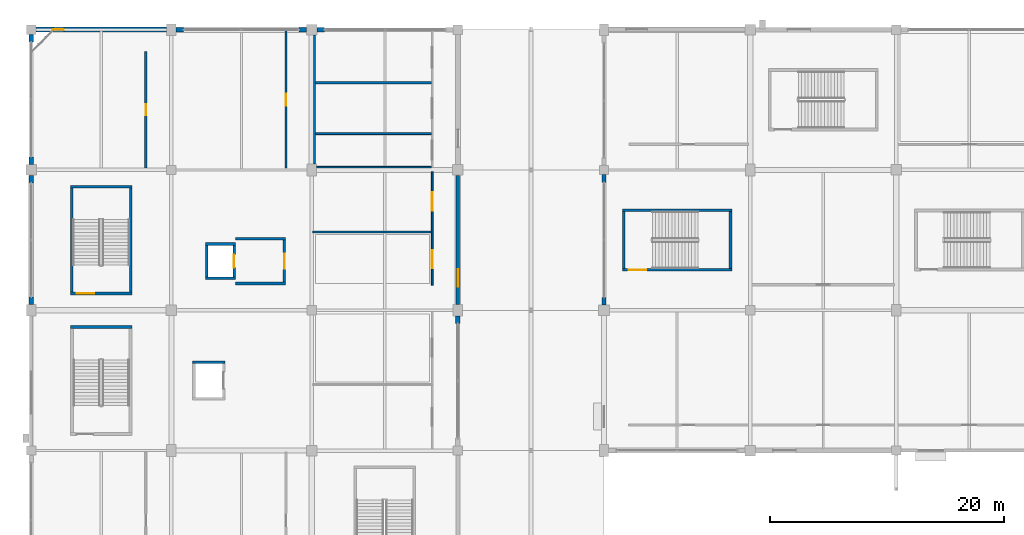
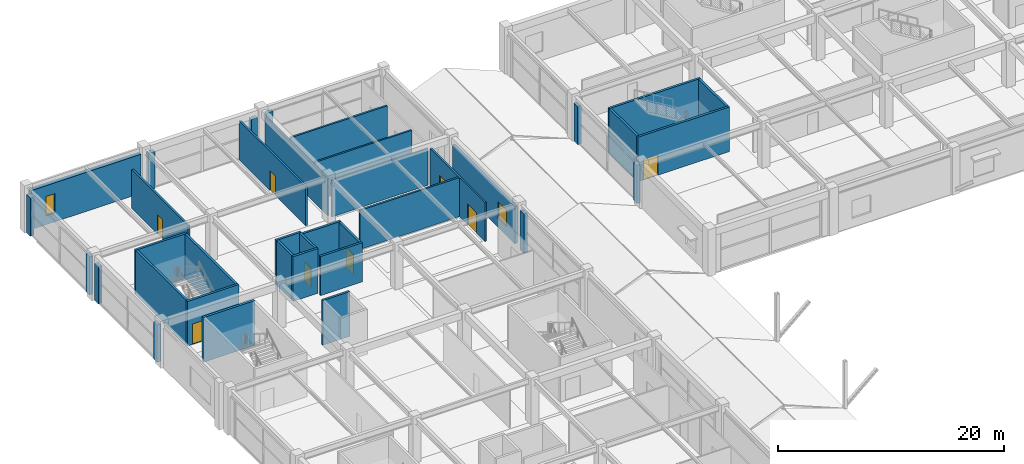
# One storey, part 79 of 116: 37 walls, 8 doors, 2 windows, 10 openings.
"""IFC4 building model written with IfcOpenShell, lengths in metres."""

from ifc_helpers import new_model, si_unit, direction, frame, frame_2d, origin, place, context, subcontext, project, spatial, rectangle, extrude, material, layer, layer_set, type_object, element, fill, save


model = new_model("IFC4")

# Units and contexts
model_context = context("Model", 3, precision=1e-05, world=origin(), true_north=direction((0.0, 1.0)))
body_context = subcontext(model_context, "Body", "Model", "MODEL_VIEW")
ifc_project = project(units=[si_unit("LENGTHUNIT", "METRE"), si_unit("AREAUNIT", "SQUARE_METRE"), si_unit("VOLUMEUNIT", "CUBIC_METRE"), si_unit("PLANEANGLEUNIT", "RADIAN"), si_unit("MASSUNIT", "GRAM", prefix="KILO")], contexts=[model_context])

# Site, building, storey
site_placement = place(None, origin())
site = spatial("IfcSite", under=ifc_project, at=site_placement, CompositionType="ELEMENT")
building_placement = place(site_placement, origin())
building = spatial("IfcBuilding", under=site, at=building_placement, Name="Kazenohara Klinker Stadium", CompositionType="ELEMENT")
storey_placement = place(building_placement, frame((0.0, 0.0, 10.199951171875)))
storey = spatial("IfcBuildingStorey", under=building, at=storey_placement, Name="L02", CompositionType="ELEMENT", Elevation=10.199951171875)

# Wall, opening, door
ifc_material_1 = material(Name="Concrete C40/50", Category="concrete")
ifc_layer_1 = layer(ifc_material_1, 0.22998046875)
ifc_layer_set_1 = layer_set([ifc_layer_1], Name="Concrete C40/50")
wall_type_1 = type_object("IfcWallType", Name="WAL-CORE-230", PredefinedType="SHEAR", material=ifc_layer_set_1)
wall_1_placement = place(storey_placement, frame((3.3701171875, 145.43505859375, 0.0), z_axis=(0.0, 0.0, 1.0), x_axis=(1.0, 0.0, 0.0)))
wall_1 = element("IfcWall", 1, at=wall_1_placement, inside=storey, type_object=wall_type_1, Name="Stairwell shear wall ST06 L02 South", PredefinedType="SHEAR", context=body_context, shape_type="SweptSolid", body=[
    extrude(rectangle(XDim=5.259765625, YDim=0.22998046875, at=frame_2d((2.6298828125, 0.0))), origin(), (0.0, 0.0, 1.0), 4.820068359375),
])
opening_1_placement = place(wall_1_placement, frame((0.550048828125, 0.0, 0.0)))
opening_1 = element("IfcOpeningElement", 2, at=opening_1_placement, cuts=wall_1, Name="Opening SD02", PredefinedType="OPENING", context=body_context, shape_type="SweptSolid", body=[
    extrude(rectangle(XDim=1.5, YDim=2.199951171875, at=frame_2d((0.75, 1.10009765625))), frame((0.0, 0.125, 0.0), z_axis=(0.0, -1.0, 0.0), x_axis=(1.0, 0.0, 0.0)), (0.0, 0.0, 1.0), 0.25),
])
ifc_material_2 = material(Name="Flush painted steel fire door leaf", Category="steel")
door_type_1 = type_object("IfcDoorType", Name="DR-STR-1500x2200", OperationType="NOTDEFINED", PredefinedType="DOOR", material=ifc_material_2)
door_1_placement = place(opening_1_placement, origin())
door_1 = element("IfcDoor", 3, at=door_1_placement, inside=storey, type_object=door_type_1, Name="Escape stairwell fire door ST06-L02", OperationType="SINGLE_SWING_LEFT", OverallHeight=2.199951171875, OverallWidth=1.5, PredefinedType="DOOR", context=body_context, shape_type="SweptSolid", body=[
    extrude(rectangle(XDim=1.5, YDim=2.199951171875, at=frame_2d((0.75, 1.10009765625))), frame((0.0, 0.02490234375, 0.0), z_axis=(0.0, -1.0, 0.0), x_axis=(1.0, 0.0, 0.0)), (0.0, 0.0, 1.0), 0.050048828125),
])
fill(opening_1, door_1)

# Walls
wall_2_placement = place(storey_placement, frame((3.3701171875, 154.56494140625, 0.0), z_axis=(0.0, 0.0, 1.0), x_axis=(1.0, 0.0, 0.0)))
element("IfcWall", 4, at=wall_2_placement, inside=storey, type_object=wall_type_1, Name="Stairwell shear wall ST06 L02 North", PredefinedType="SHEAR", context=body_context, shape_type="SweptSolid", body=[
    extrude(rectangle(XDim=5.259765625, YDim=0.22998046875, at=frame_2d((2.6298828125, 0.0))), origin(), (0.0, 0.0, 1.0), 4.820068359375),
])
for number, where, z_axis, x_axis, name in (
    (5, (3.485107421875, 145.550048828125, 0.0), (0.0, 0.0, 1.0), (0.0, 1.0, 0.0), "Stairwell shear wall ST06 L02 West"),
    (6, (8.514892578125, 145.550048828125, 0.0), (0.0, 0.0, 1.0), (0.0, 1.0, 0.0), "Stairwell shear wall ST06 L02 East"),
):
    element("IfcWall", number, at=place(storey_placement, frame(where, z_axis=z_axis, x_axis=x_axis)), inside=storey, type_object=wall_type_1, Name=name, PredefinedType="SHEAR", context=body_context, shape_type="SweptSolid", body=[
        extrude(rectangle(XDim=8.89990234375, YDim=0.22998046875, at=frame_2d((4.449951171875, 0.0))), origin(), (0.0, 0.0, 1.0), 4.820068359375),
    ])

# Wall, opening, door
wall_3_placement = place(storey_placement, frame((50.570068359375, 147.455078125, 0.0), z_axis=(0.0, 0.0, 1.0), x_axis=(1.0, 0.0, 0.0)))
wall_3 = element("IfcWall", 7, at=wall_3_placement, inside=storey, type_object=wall_type_1, Name="Stairwell shear wall ST08 L02 South", PredefinedType="SHEAR", context=body_context, shape_type="SweptSolid", body=[
    extrude(rectangle(XDim=9.35986328125, YDim=0.22998046875, at=frame_2d((4.679931640625, 0.0))), origin(), (0.0, 0.0, 1.0), 4.820068359375),
])
opening_2_placement = place(wall_3_placement, frame((0.550048828125, 0.0, 0.0)))
opening_2 = element("IfcOpeningElement", 8, at=opening_2_placement, cuts=wall_3, Name="Opening SD02", PredefinedType="OPENING", context=body_context, shape_type="SweptSolid", body=[
    extrude(rectangle(XDim=1.5, YDim=2.199951171875, at=frame_2d((0.75, 1.10009765625))), frame((0.0, 0.125, 0.0), z_axis=(0.0, -1.0, 0.0), x_axis=(1.0, 0.0, 0.0)), (0.0, 0.0, 1.0), 0.25),
])
door_2_placement = place(opening_2_placement, origin())
door_2 = element("IfcDoor", 9, at=door_2_placement, inside=storey, type_object=door_type_1, Name="Escape stairwell fire door ST08-L02", OperationType="SINGLE_SWING_LEFT", OverallHeight=2.199951171875, OverallWidth=1.5, PredefinedType="DOOR", context=body_context, shape_type="SweptSolid", body=[
    extrude(rectangle(XDim=1.5, YDim=2.199951171875, at=frame_2d((0.75, 1.10009765625))), frame((0.0, 0.02490234375, 0.0), z_axis=(0.0, -1.0, 0.0), x_axis=(1.0, 0.0, 0.0)), (0.0, 0.0, 1.0), 0.050048828125),
])
fill(opening_2, door_2)

# Walls
wall_4_placement = place(storey_placement, frame((50.570068359375, 152.544921875, 0.0), z_axis=(0.0, 0.0, 1.0), x_axis=(1.0, 0.0, 0.0)))
element("IfcWall", 10, at=wall_4_placement, inside=storey, type_object=wall_type_1, Name="Stairwell shear wall ST08 L02 North", PredefinedType="SHEAR", context=body_context, shape_type="SweptSolid", body=[
    extrude(rectangle(XDim=9.35986328125, YDim=0.22998046875, at=frame_2d((4.679931640625, 0.0))), origin(), (0.0, 0.0, 1.0), 4.820068359375),
])
for number, where, z_axis, x_axis, name in (
    (11, (50.68505859375, 147.570068359375, 0.0), (0.0, 0.0, 1.0), (0.0, 1.0, 0.0), "Stairwell shear wall ST08 L02 West"),
    (12, (59.81494140625, 147.570068359375, 0.0), (0.0, 0.0, 1.0), (0.0, 1.0, 0.0), "Stairwell shear wall ST08 L02 East"),
):
    element("IfcWall", number, at=place(storey_placement, frame(where, z_axis=z_axis, x_axis=x_axis)), inside=storey, type_object=wall_type_1, Name=name, PredefinedType="SHEAR", context=body_context, shape_type="SweptSolid", body=[
        extrude(rectangle(XDim=4.85986328125, YDim=0.22998046875, at=frame_2d((2.429931640625, 0.0))), origin(), (0.0, 0.0, 1.0), 4.820068359375),
    ])
for number, where, z_axis, x_axis, name in (
    (13, (14.919921875, 146.735107421875, 0.0), (0.0, 0.0, 1.0), (1.0, 0.0, 0.0), "Elevator shaft wall LF03 L02 South"),
    (14, (14.919921875, 149.6650390625, 0.0), (0.0, 0.0, 1.0), (1.0, 0.0, 0.0), "Elevator shaft wall LF03 L02 North"),
):
    element("IfcWall", number, at=place(storey_placement, frame(where, z_axis=z_axis, x_axis=x_axis)), inside=storey, type_object=wall_type_1, Name=name, PredefinedType="SHEAR", context=body_context, shape_type="SweptSolid", body=[
        extrude(rectangle(XDim=2.56005859375, YDim=0.22998046875, at=frame_2d((1.280029296875, 0.0))), origin(), (0.0, 0.0, 1.0), 4.820068359375),
    ])
wall_5_placement = place(storey_placement, frame((15.034912109375, 146.85009765625, 0.0), z_axis=(0.0, 0.0, 1.0), x_axis=(0.0, 1.0, 0.0)))
element("IfcWall", 15, at=wall_5_placement, inside=storey, type_object=wall_type_1, Name="Elevator shaft wall LF03 L02 West", PredefinedType="SHEAR", context=body_context, shape_type="SweptSolid", body=[
    extrude(rectangle(XDim=2.699951171875, YDim=0.22998046875, at=frame_2d((1.35009765625, 0.0))), origin(), (0.0, 0.0, 1.0), 4.820068359375),
])

# Wall, opening, door
wall_6_placement = place(storey_placement, frame((17.364990234375, 146.85009765625, 0.0), z_axis=(0.0, 0.0, 1.0), x_axis=(0.0, 1.0, 0.0)))
wall_6 = element("IfcWall", 16, at=wall_6_placement, inside=storey, type_object=wall_type_1, Name="Elevator shaft wall LF03 L02 East", PredefinedType="SHEAR", context=body_context, shape_type="SweptSolid", body=[
    extrude(rectangle(XDim=2.699951171875, YDim=0.22998046875, at=frame_2d((1.35009765625, 0.0))), origin(), (0.0, 0.0, 1.0), 4.820068359375),
])
opening_3_placement = place(wall_6_placement, frame((0.800048828125, 0.0, 0.0)))
opening_3 = element("IfcOpeningElement", 17, at=opening_3_placement, cuts=wall_6, Name="Opening LD01", PredefinedType="OPENING", context=body_context, shape_type="SweptSolid", body=[
    extrude(rectangle(XDim=1.10009765625, YDim=2.14990234375, at=frame_2d((0.550048828125, 1.074951171875))), frame((0.0, 0.125, 0.0), z_axis=(0.0, -1.0, 0.0), x_axis=(1.0, 0.0, 0.0)), (0.0, 0.0, 1.0), 0.25),
])
ifc_material_3 = material(Name="Stainless steel fire-rated sliding landing door", Category="steel")
door_type_2 = type_object("IfcDoorType", Name="DR-LD01-1100x2150", OperationType="NOTDEFINED", PredefinedType="DOOR", material=ifc_material_3)
door_3_placement = place(opening_3_placement, origin())
door_3 = element("IfcDoor", 18, at=door_3_placement, inside=storey, type_object=door_type_2, Name="Elevator sliding landing door LF03-L02", OperationType="DOUBLE_DOOR_SLIDING", OverallHeight=2.14990234375, OverallWidth=1.10009765625, PredefinedType="DOOR", context=body_context, shape_type="SweptSolid", body=[
    extrude(rectangle(XDim=1.10009765625, YDim=2.14990234375, at=frame_2d((0.550048828125, 1.074951171875))), frame((0.0, 0.02490234375, 0.0), z_axis=(0.0, -1.0, 0.0), x_axis=(1.0, 0.0, 0.0)), (0.0, 0.0, 1.0), 0.050048828125),
])
fill(opening_3, door_3)

# Walls
wall_7_placement = place(storey_placement, frame((13.820068359375, 139.56494140625, 0.0), z_axis=(0.0, 0.0, 1.0), x_axis=(1.0, 0.0, 0.0)))
element("IfcWall", 19, at=wall_7_placement, inside=storey, type_object=wall_type_1, Name="Elevator shaft wall LG01 L02 North", PredefinedType="SHEAR", context=body_context, shape_type="SweptSolid", body=[
    extrude(rectangle(XDim=2.760009765625, YDim=0.22998046875, at=frame_2d((1.3798828125, 0.0))), origin(), (0.0, 0.0, 1.0), 4.820068359375),
])
ifc_layer_2 = layer(ifc_material_1, 0.25)
ifc_layer_set_2 = layer_set([ifc_layer_2], Name="Concrete C40/50")
wall_type_2 = type_object("IfcWallType", Name="WAL-CORE-250", PredefinedType="SHEAR", material=ifc_layer_set_2)
wall_8_placement = place(storey_placement, frame((3.360107421875, 142.574951171875, 0.0), z_axis=(0.0, 0.0, 1.0), x_axis=(1.0, 0.0, 0.0)))
element("IfcWall", 20, at=wall_8_placement, inside=storey, type_object=wall_type_2, Name="Stairwell shear wall ST05 L02 North", PredefinedType="SHEAR", context=body_context, shape_type="SweptSolid", body=[
    extrude(rectangle(XDim=5.27978515625, YDim=0.25, at=frame_2d((2.639892578125, 0.0))), origin(), (0.0, 0.0, 1.0), 4.820068359375),
])

# Wall, opening, window
ifc_material_4 = material(Name="Clinker brick masonry", Category="masonry")
ifc_layer_3 = layer(ifc_material_4, 0.280029296875)
ifc_layer_set_3 = layer_set([ifc_layer_3], Name="Clinker brick masonry")
wall_type_3 = type_object("IfcWallType", Name="WAL-EXT-CB280", PredefinedType="SOLIDWALL", material=ifc_layer_set_3)
wall_9_placement = place(storey_placement, frame((36.5, 144.50390625, 0.0), z_axis=(0.0, 0.0, 1.0), x_axis=(0.0, 1.0, 0.0)))
wall_9 = element("IfcWall", 21, at=wall_9_placement, inside=storey, type_object=wall_type_3, Name="Clinker brick cavity wall EW06 L02 Y3-12", PredefinedType="SOLIDWALL", context=body_context, shape_type="SweptSolid", body=[
    extrude(rectangle(XDim=11.0419921875, YDim=0.280029296875, at=frame_2d((5.52099609375, 0.0))), origin(), (0.0, 0.0, 1.0), 4.02001953125),
])
opening_4_placement = place(wall_9_placement, frame((1.5, 0.0, 0.949951171875)))
opening_4 = element("IfcOpeningElement", 22, at=opening_4_placement, cuts=wall_9, Name="Opening W09", PredefinedType="OPENING", context=body_context, shape_type="SweptSolid", body=[
    extrude(rectangle(XDim=1.5, YDim=1.800048828125, at=frame_2d((0.75, 0.89990234375))), frame((0.0, 0.14990234375, 0.0), z_axis=(0.0, -1.0, 0.0), x_axis=(1.0, 0.0, 0.0)), (0.0, 0.0, 1.0), 0.300048828125),
])
ifc_material_5 = material(Name="Dark bronze aluminium frame and triple glazing", Category="aluminium")
window_type_1 = type_object("IfcWindowType", Name="WIN-AS-09", PartitioningType="SINGLE_PANEL", PredefinedType="WINDOW", material=ifc_material_5)
window_1_placement = place(opening_4_placement, origin())
window_1 = element("IfcWindow", 23, at=window_1_placement, inside=storey, type_object=window_type_1, Name="Horizontal-mullion ladder window W09 L02 Y3-12", OverallHeight=1.800048828125, OverallWidth=1.5, PartitioningType="SINGLE_PANEL", PredefinedType="WINDOW", context=body_context, shape_type="SweptSolid", body=[
    extrude(rectangle(XDim=1.5, YDim=1.800048828125, at=frame_2d((0.75, 0.89990234375))), frame((0.0, 0.030029296875, 0.0), z_axis=(0.0, -1.0, 0.0), x_axis=(1.0, 0.0, 0.0)), (0.0, 0.0, 1.0), 0.06005859375),
])
fill(opening_4, window_1)

# Walls
ifc_layer_4 = layer(ifc_material_4, 0.3701171875)
ifc_layer_set_4 = layer_set([ifc_layer_4], Name="Clinker brick masonry")
wall_type_4 = type_object("IfcWallType", Name="WAL-EXT-CB370", PredefinedType="SOLIDWALL", material=ifc_layer_set_4)
wall_10_placement = place(storey_placement, frame((0.0, 144.50390625, 0.0), z_axis=(0.0, 0.0, 1.0), x_axis=(0.0, 1.0, 0.0)))
element("IfcWall", 24, at=wall_10_placement, inside=storey, type_object=wall_type_4, Name="Clinker brick curtain-wall jamb pier L02 Y0-12 A", PredefinedType="SOLIDWALL", context=body_context, shape_type="SweptSolid", body=[
    extrude(rectangle(XDim=0.650146484375, YDim=0.3701171875, at=frame_2d((0.3251953125, 0.0))), origin(), (0.0, 0.0, 1.0), 4.02001953125),
])
wall_11_placement = place(storey_placement, frame((0.0, 154.89599609375, 0.0), z_axis=(0.0, 0.0, 1.0), x_axis=(0.0, 1.0, 0.0)))
element("IfcWall", 25, at=wall_11_placement, inside=storey, type_object=wall_type_4, Name="Clinker brick curtain-wall jamb pier L02 Y0-12 B", PredefinedType="SOLIDWALL", context=body_context, shape_type="SweptSolid", body=[
    extrude(rectangle(XDim=0.64990234375, YDim=0.3701171875, at=frame_2d((0.324951171875, 0.0))), origin(), (0.0, 0.0, 1.0), 4.02001953125),
])
for number, where, z_axis, x_axis, name in (
    (26, (0.0, 156.4541015625, 0.0), (0.0, 0.0, 1.0), (0.0, 1.0, 0.0), "Clinker brick curtain-wall jamb pier L02 Y0-13 A"),
    (27, (0.0, 166.946044921875, 0.0), (0.0, 0.0, 1.0), (0.0, 1.0, 0.0), "Clinker brick curtain-wall jamb pier L02 Y0-13 B"),
):
    element("IfcWall", number, at=place(storey_placement, frame(where, z_axis=z_axis, x_axis=x_axis)), inside=storey, type_object=wall_type_4, Name=name, PredefinedType="SOLIDWALL", context=body_context, shape_type="SweptSolid", body=[
        extrude(rectangle(XDim=0.64990234375, YDim=0.3701171875, at=frame_2d((0.324951171875, 0.0))), origin(), (0.0, 0.0, 1.0), 4.1201171875),
    ])
for number, where, z_axis, x_axis, name in (
    (28, (12.404052734375, 168.0, 0.0), (0.0, 0.0, 1.0), (1.0, 0.0, 0.0), "Clinker brick curtain-wall jamb pier L02 X1-14 A"),
    (29, (22.89599609375, 168.0, 0.0), (0.0, 0.0, 1.0), (1.0, 0.0, 0.0), "Clinker brick curtain-wall jamb pier L02 X1-14 B"),
):
    element("IfcWall", number, at=place(storey_placement, frame(where, z_axis=z_axis, x_axis=x_axis)), inside=storey, type_object=wall_type_4, Name=name, PredefinedType="SOLIDWALL", context=body_context, shape_type="SweptSolid", body=[
        extrude(rectangle(XDim=0.64990234375, YDim=0.3701171875, at=frame_2d((0.324951171875, 0.0))), origin(), (0.0, 0.0, 1.0), 4.02001953125),
    ])
wall_12_placement = place(storey_placement, frame((36.5, 142.845947265625, 0.0), z_axis=(0.0, 0.0, 1.0), x_axis=(0.0, 1.0, 0.0)))
element("IfcWall", 30, at=wall_12_placement, inside=storey, type_object=wall_type_4, Name="Clinker brick curtain-wall jamb pier L02 Y3-11 B", PredefinedType="SOLIDWALL", context=body_context, shape_type="SweptSolid", body=[
    extrude(rectangle(XDim=0.650146484375, YDim=0.3701171875, at=frame_2d((0.3251953125, 0.0))), origin(), (0.0, 0.0, 1.0), 4.23193359375),
])
for number, where, z_axis, x_axis, name in (
    (31, (24.4541015625, 168.0, 0.0), (0.0, 0.0, 1.0), (1.0, 0.0, 0.0), "Clinker brick curtain-wall jamb pier L02 X2-14 A"),
    (32, (49.0, 144.4541015625, 0.0), (0.0, 0.0, 1.0), (0.0, 1.0, 0.0), "Clinker brick curtain-wall jamb pier L02 Y4-12 A"),
    (33, (49.0, 154.946044921875, 0.0), (0.0, 0.0, 1.0), (0.0, 1.0, 0.0), "Clinker brick curtain-wall jamb pier L02 Y4-12 B"),
):
    element("IfcWall", number, at=place(storey_placement, frame(where, z_axis=z_axis, x_axis=x_axis)), inside=storey, type_object=wall_type_4, Name=name, PredefinedType="SOLIDWALL", context=body_context, shape_type="SweptSolid", body=[
        extrude(rectangle(XDim=0.64990234375, YDim=0.3701171875, at=frame_2d((0.324951171875, 0.0))), origin(), (0.0, 0.0, 1.0), 4.1201171875),
    ])

# Wall, opening, window
ifc_layer_5 = layer(ifc_material_4, 0.409912109375)
ifc_layer_set_5 = layer_set([ifc_layer_5], Name="Clinker brick masonry")
wall_type_5 = type_object("IfcWallType", Name="WAL-EXT-CB410", PredefinedType="SOLIDWALL", material=ifc_layer_set_5)
wall_13_placement = place(storey_placement, frame((0.404052734375, 168.0, 0.0), z_axis=(0.0, 0.0, 1.0), x_axis=(1.0, 0.0, 0.0)))
wall_13 = element("IfcWall", 34, at=wall_13_placement, inside=storey, type_object=wall_type_5, Name="Clinker brick cavity wall EW02 L02 X0-14", PredefinedType="SOLIDWALL", context=body_context, shape_type="SweptSolid", body=[
    extrude(rectangle(XDim=11.19189453125, YDim=0.409912109375, at=frame_2d((5.595947265625, 0.0))), origin(), (0.0, 0.0, 1.0), 4.219970703125),
])
opening_5_placement = place(wall_13_placement, frame((1.5, 0.0, 0.949951171875)))
opening_5 = element("IfcOpeningElement", 35, at=opening_5_placement, cuts=wall_13, Name="Opening W01", PredefinedType="OPENING", context=body_context, shape_type="SweptSolid", body=[
    extrude(rectangle(XDim=0.89990234375, YDim=2.10009765625, at=frame_2d((0.449951171875, 1.050048828125))), frame((0.0, 0.21484375, 0.0), z_axis=(0.0, -1.0, 0.0), x_axis=(1.0, 0.0, 0.0)), (0.0, 0.0, 1.0), 0.429931640625),
])
window_type_2 = type_object("IfcWindowType", Name="WIN-AS-01", PartitioningType="SINGLE_PANEL", PredefinedType="WINDOW", material=ifc_material_5)
window_2_placement = place(opening_5_placement, origin())
window_2 = element("IfcWindow", 36, at=window_2_placement, inside=storey, type_object=window_type_2, Name="Horizontal-mullion ladder window W01 L02 X0-14", OverallHeight=2.10009765625, OverallWidth=0.89990234375, PartitioningType="SINGLE_PANEL", PredefinedType="WINDOW", context=body_context, shape_type="SweptSolid", body=[
    extrude(rectangle(XDim=0.89990234375, YDim=2.10009765625, at=frame_2d((0.449951171875, 1.050048828125))), frame((0.0, 0.030029296875, 0.0), z_axis=(0.0, -1.0, 0.0), x_axis=(1.0, 0.0, 0.0)), (0.0, 0.0, 1.0), 0.06005859375),
])
fill(opening_5, window_2)

# Walls
ifc_layer_6 = layer(ifc_material_1, 0.219970703125)
ifc_layer_set_6 = layer_set([ifc_layer_6], Name="Concrete C40/50")
wall_type_6 = type_object("IfcWallType", Name="WAL-INT-FF220", PredefinedType="SOLIDWALL", material=ifc_layer_set_6)
for number, where, z_axis, x_axis, name in (
    (37, (17.47998046875, 146.2900390625, 0.0), (0.0, 0.0, 1.0), (1.0, 0.0, 0.0), "Firefighting lobby wall LF03 L02 South"),
    (38, (17.47998046875, 150.110107421875, 0.0), (0.0, 0.0, 1.0), (1.0, 0.0, 0.0), "Firefighting lobby wall LF03 L02 North"),
):
    element("IfcWall", number, at=place(storey_placement, frame(where, z_axis=z_axis, x_axis=x_axis)), inside=storey, type_object=wall_type_6, Name=name, PredefinedType="SOLIDWALL", context=body_context, shape_type="SweptSolid", body=[
        extrude(rectangle(XDim=4.2900390625, YDim=0.219970703125, at=frame_2d((2.14501953125, 0.0))), origin(), (0.0, 0.0, 1.0), 4.219970703125),
    ])

# Wall, opening, door
wall_14_placement = place(storey_placement, frame((21.659912109375, 146.39990234375, 0.0), z_axis=(0.0, 0.0, 1.0), x_axis=(0.0, 1.0, 0.0)))
wall_14 = element("IfcWall", 39, at=wall_14_placement, inside=storey, type_object=wall_type_6, Name="Firefighting lobby front wall LF03 L02", PredefinedType="SOLIDWALL", context=body_context, shape_type="SweptSolid", body=[
    extrude(rectangle(XDim=3.60009765625, YDim=0.219970703125, at=frame_2d((1.800048828125, 0.0))), origin(), (0.0, 0.0, 1.0), 4.219970703125),
])
opening_6_placement = place(wall_14_placement, frame((1.14990234375, 0.0, 0.0)))
opening_6 = element("IfcOpeningElement", 40, at=opening_6_placement, cuts=wall_14, Name="Opening FD01", PredefinedType="OPENING", context=body_context, shape_type="SweptSolid", body=[
    extrude(rectangle(XDim=1.300048828125, YDim=2.14990234375, at=frame_2d((0.64990234375, 1.074951171875))), frame((0.0, 0.1201171875, 0.0), z_axis=(0.0, -1.0, 0.0), x_axis=(1.0, 0.0, 0.0)), (0.0, 0.0, 1.0), 0.239990234375),
])
ifc_material_6 = material(Name="Smoke-sealed steel fire lobby door", Category="steel")
door_type_3 = type_object("IfcDoorType", Name="DR-FFL-1300x2150", OperationType="NOTDEFINED", PredefinedType="DOOR", material=ifc_material_6)
door_4_placement = place(opening_6_placement, origin())
door_4 = element("IfcDoor", 41, at=door_4_placement, inside=storey, type_object=door_type_3, Name="Firefighting lobby smoke-sealed door LF03-L02", OperationType="SINGLE_SWING_RIGHT", OverallHeight=2.14990234375, OverallWidth=1.300048828125, PredefinedType="DOOR", context=body_context, shape_type="SweptSolid", body=[
    extrude(rectangle(XDim=1.300048828125, YDim=2.14990234375, at=frame_2d((0.64990234375, 1.074951171875))), frame((0.0, 0.02490234375, 0.0), z_axis=(0.0, -1.0, 0.0), x_axis=(1.0, 0.0, 0.0)), (0.0, 0.0, 1.0), 0.050048828125),
])
fill(opening_6, door_4)

# Walls
ifc_material_7 = material(Name="Fire-rated gypsum board on acoustic studs", Category="gypsum")
ifc_layer_7 = layer(ifc_material_7, 0.1201171875)
ifc_layer_set_7 = layer_set([ifc_layer_7], Name="Fire-rated gypsum board on acoustic studs")
wall_type_7 = type_object("IfcWallType", Name="WAL-INT-P120", PredefinedType="PARTITIONING", material=ifc_layer_set_7)
wall_15_placement = place(storey_placement, frame((24.404052734375, 156.239990234375, 0.0), z_axis=(0.0, 0.0, 1.0), x_axis=(1.0, 0.0, 0.0)))
element("IfcWall", 42, at=wall_15_placement, inside=storey, type_object=wall_type_7, Name="Interior partition wall PT02 SPC-L02-02-13-1-1", PredefinedType="PARTITIONING", context=body_context, shape_type="SweptSolid", body=[
    extrude(rectangle(XDim=9.825927734375, YDim=0.1201171875, at=frame_2d((4.9130859375, 0.0))), origin(), (0.0, 0.0, 1.0), 3.97998046875),
])
ifc_layer_8 = layer(ifc_material_7, 0.139892578125)
ifc_layer_set_8 = layer_set([ifc_layer_8], Name="Fire-rated gypsum board on acoustic studs")
wall_type_8 = type_object("IfcWallType", Name="WAL-INT-P140", PredefinedType="PARTITIONING", material=ifc_layer_set_8)
wall_16_placement = place(storey_placement, frame((24.239990234375, 156.50390625, 0.0), z_axis=(0.0, 0.0, 1.0), x_axis=(0.0, 1.0, 0.0)))
element("IfcWall", 43, at=wall_16_placement, inside=storey, type_object=wall_type_8, Name="Interior partition wall PT03 SPC-L02-02-13-1-2", PredefinedType="PARTITIONING", context=body_context, shape_type="SweptSolid", body=[
    extrude(rectangle(XDim=11.0419921875, YDim=0.139892578125, at=frame_2d((5.52099609375, 0.0))), origin(), (0.0, 0.0, 1.0), 3.97998046875),
])

# Wall, openings, doors
ifc_layer_9 = layer(ifc_material_7, 0.169921875)
ifc_layer_set_9 = layer_set([ifc_layer_9], Name="Fire-rated gypsum board on acoustic studs")
wall_type_9 = type_object("IfcWallType", Name="WAL-INT-P170", PredefinedType="PARTITIONING", material=ifc_layer_set_9)
wall_17_placement = place(storey_placement, frame((34.31005859375, 146.1201171875, 0.0), z_axis=(0.0, 0.0, 1.0), x_axis=(0.0, 1.0, 0.0)))
wall_17 = element("IfcWall", 44, at=wall_17_placement, inside=storey, type_object=wall_type_9, Name="Interior partition wall PT05 SPC-L02-02-12-1-1", PredefinedType="PARTITIONING", context=body_context, shape_type="SweptSolid", body=[
    extrude(rectangle(XDim=9.719970703125, YDim=0.169921875, at=frame_2d((4.85986328125, 0.0))), origin(), (0.0, 0.0, 1.0), 4.219970703125),
])
opening_7_placement = place(wall_17_placement, frame((1.464111328125, 0.0, 0.0)))
opening_7 = element("IfcOpeningElement", 45, at=opening_7_placement, cuts=wall_17, Name="Opening ID22", PredefinedType="OPENING", context=body_context, shape_type="SweptSolid", body=[
    extrude(rectangle(XDim=1.56005859375, YDim=2.260009765625, at=frame_2d((0.780029296875, 1.1298828125))), frame((0.0, 0.094970703125, 0.0), z_axis=(0.0, -1.0, 0.0), x_axis=(1.0, 0.0, 0.0)), (0.0, 0.0, 1.0), 0.18994140625),
])
opening_8_placement = place(wall_17_placement, frame((6.38427734375, 0.0, 0.0)))
opening_8 = element("IfcOpeningElement", 46, at=opening_8_placement, cuts=wall_17, Name="Opening ID23", PredefinedType="OPENING", context=body_context, shape_type="SweptSolid", body=[
    extrude(rectangle(XDim=1.60009765625, YDim=2.300048828125, at=frame_2d((0.800048828125, 1.14990234375))), frame((0.0, 0.094970703125, 0.0), z_axis=(0.0, -1.0, 0.0), x_axis=(1.0, 0.0, 0.0)), (0.0, 0.0, 1.0), 0.18994140625),
])
ifc_material_8 = material(Name="Painted steel plant fire door", Category="steel")
door_type_4 = type_object("IfcDoorType", Name="DR-INT-22", OperationType="NOTDEFINED", PredefinedType="DOOR", material=ifc_material_8)
door_5_placement = place(opening_7_placement, origin())
door_5 = element("IfcDoor", 47, at=door_5_placement, inside=storey, type_object=door_type_4, Name="Interior door ID22 Sapporo Autumn Banquet Hall L02-0212A", OperationType="SINGLE_SWING_LEFT", OverallHeight=2.260009765625, OverallWidth=1.56005859375, PredefinedType="DOOR", context=body_context, shape_type="SweptSolid", body=[
    extrude(rectangle(XDim=1.56005859375, YDim=2.260009765625, at=frame_2d((0.780029296875, 1.1298828125))), frame((0.0, 0.02490234375, 0.0), z_axis=(0.0, -1.0, 0.0), x_axis=(1.0, 0.0, 0.0)), (0.0, 0.0, 1.0), 0.050048828125),
])
fill(opening_7, door_5)
door_type_5 = type_object("IfcDoorType", Name="DR-INT-23", OperationType="NOTDEFINED", PredefinedType="DOOR", material=ifc_material_8)
door_6_placement = place(opening_8_placement, origin())
door_6 = element("IfcDoor", 48, at=door_6_placement, inside=storey, type_object=door_type_5, Name="Interior door ID23 Hospitality Culinary Catering Kitchen L02-0212B", OperationType="SINGLE_SWING_RIGHT", OverallHeight=2.300048828125, OverallWidth=1.60009765625, PredefinedType="DOOR", context=body_context, shape_type="SweptSolid", body=[
    extrude(rectangle(XDim=1.60009765625, YDim=2.300048828125, at=frame_2d((0.800048828125, 1.14990234375))), frame((0.0, 0.02490234375, 0.0), z_axis=(0.0, -1.0, 0.0), x_axis=(1.0, 0.0, 0.0)), (0.0, 0.0, 1.0), 0.050048828125),
])
fill(opening_8, door_6)

# Wall
wall_18_placement = place(storey_placement, frame((24.31494140625, 159.10205078125, 0.0), z_axis=(0.0, 0.0, 1.0), x_axis=(1.0, 0.0, 0.0)))
element("IfcWall", 49, at=wall_18_placement, inside=storey, type_object=wall_type_9, Name="Interior partition wall PT05 SPC-L02-02-13-1-4", PredefinedType="PARTITIONING", context=body_context, shape_type="SweptSolid", body=[
    extrude(rectangle(XDim=9.9150390625, YDim=0.169921875, at=frame_2d((4.95751953125, 0.0))), origin(), (0.0, 0.0, 1.0), 4.219970703125),
])

# Wall, opening, door
ifc_layer_10 = layer(ifc_material_7, 0.18994140625)
ifc_layer_set_10 = layer_set([ifc_layer_10], Name="Fire-rated gypsum board on acoustic studs")
wall_type_10 = type_object("IfcWallType", Name="WAL-INT-P190", PredefinedType="PARTITIONING", material=ifc_layer_set_10)
wall_19_placement = place(storey_placement, frame((9.81005859375, 156.159912109375, 0.0), z_axis=(0.0, 0.0, 1.0), x_axis=(0.0, 1.0, 0.0)))
wall_19 = element("IfcWall", 50, at=wall_19_placement, inside=storey, type_object=wall_type_10, Name="Interior partition wall PT06 SPC-L02-00-13-1-1", PredefinedType="PARTITIONING", context=body_context, shape_type="SweptSolid", body=[
    extrude(rectangle(XDim=9.989990234375, YDim=0.18994140625, at=frame_2d((4.9951171875, 0.0))), origin(), (0.0, 0.0, 1.0), 4.219970703125),
])
opening_9_placement = place(wall_19_placement, frame((4.534912109375, 0.0, 0.0)))
opening_9 = element("IfcOpeningElement", 51, at=opening_9_placement, cuts=wall_19, Name="Opening ID02", PredefinedType="OPENING", context=body_context, shape_type="SweptSolid", body=[
    extrude(rectangle(XDim=0.919921875, YDim=2.10009765625, at=frame_2d((0.4599609375, 1.050048828125))), frame((0.0, 0.10498046875, 0.0), z_axis=(0.0, -1.0, 0.0), x_axis=(1.0, 0.0, 0.0)), (0.0, 0.0, 1.0), 0.2099609375),
])
ifc_material_9 = material(Name="Solid-core Hokkaido oak fire door", Category="wood")
door_type_6 = type_object("IfcDoorType", Name="DR-INT-02", OperationType="NOTDEFINED", PredefinedType="DOOR", material=ifc_material_9)
door_7_placement = place(opening_9_placement, origin())
door_7 = element("IfcDoor", 52, at=door_7_placement, inside=storey, type_object=door_type_6, Name="Interior door ID02 Corporate Hospitality Viewing Suite L02-0013A", OperationType="SINGLE_SWING_LEFT", OverallHeight=2.10009765625, OverallWidth=0.919921875, PredefinedType="DOOR", context=body_context, shape_type="SweptSolid", body=[
    extrude(rectangle(XDim=0.919921875, YDim=2.10009765625, at=frame_2d((0.4599609375, 1.050048828125))), frame((0.0, 0.02490234375, 0.0), z_axis=(0.0, -1.0, 0.0), x_axis=(1.0, 0.0, 0.0)), (0.0, 0.0, 1.0), 0.050048828125),
])
fill(opening_9, door_7)

wall_20_placement = place(storey_placement, frame((21.81005859375, 156.159912109375, 0.0), z_axis=(0.0, 0.0, 1.0), x_axis=(0.0, 1.0, 0.0)))
wall_20 = element("IfcWall", 53, at=wall_20_placement, inside=storey, type_object=wall_type_10, Name="Interior partition wall PT06 SPC-L02-01-13-1-1", PredefinedType="PARTITIONING", context=body_context, shape_type="SweptSolid", body=[
    extrude(rectangle(XDim=11.816162109375, YDim=0.18994140625, at=frame_2d((5.908203125, 0.0))), origin(), (0.0, 0.0, 1.0), 4.219970703125),
])
opening_10_placement = place(wall_20_placement, frame((5.340087890625, 0.0, 0.0)))
opening_10 = element("IfcOpeningElement", 54, at=opening_10_placement, cuts=wall_20, Name="Opening ID05", PredefinedType="OPENING", context=body_context, shape_type="SweptSolid", body=[
    extrude(rectangle(XDim=1.0, YDim=2.139892578125, at=frame_2d((0.5, 1.06982421875))), frame((0.0, 0.10498046875, 0.0), z_axis=(0.0, -1.0, 0.0), x_axis=(1.0, 0.0, 0.0)), (0.0, 0.0, 1.0), 0.2099609375),
])
door_type_7 = type_object("IfcDoorType", Name="DR-INT-05", OperationType="NOTDEFINED", PredefinedType="DOOR", material=ifc_material_9)
door_8_placement = place(opening_10_placement, origin())
door_8 = element("IfcDoor", 55, at=door_8_placement, inside=storey, type_object=door_type_7, Name="Interior door ID05 Club Level Sommelier Wine Bar L02-0113A", OperationType="SINGLE_SWING_RIGHT", OverallHeight=2.139892578125, OverallWidth=1.0, PredefinedType="DOOR", context=body_context, shape_type="SweptSolid", body=[
    extrude(rectangle(XDim=1.0, YDim=2.139892578125, at=frame_2d((0.5, 1.06982421875))), frame((0.0, 0.02490234375, 0.0), z_axis=(0.0, -1.0, 0.0), x_axis=(1.0, 0.0, 0.0)), (0.0, 0.0, 1.0), 0.050048828125),
])
fill(opening_10, door_8)

# Walls
wall_21_placement = place(storey_placement, frame((24.080078125, 150.6884765625, 0.0), z_axis=(0.0, 0.0, 1.0), x_axis=(1.0, 0.0, 0.0)))
element("IfcWall", 56, at=wall_21_placement, inside=storey, type_object=wall_type_10, Name="Interior partition wall PT06 SPC-L02-02-12-1-2", PredefinedType="PARTITIONING", context=body_context, shape_type="SweptSolid", body=[
    extrude(rectangle(XDim=10.139892578125, YDim=0.18994140625, at=frame_2d((5.06982421875, 0.0))), origin(), (0.0, 0.0, 1.0), 4.219970703125),
])
wall_22_placement = place(storey_placement, frame((24.31494140625, 163.461181640625, 0.0), z_axis=(0.0, 0.0, 1.0), x_axis=(1.0, 0.0, 0.0)))
element("IfcWall", 57, at=wall_22_placement, inside=storey, type_object=wall_type_10, Name="Interior partition wall PT06 SPC-L02-02-13-1-5", PredefinedType="PARTITIONING", context=body_context, shape_type="SweptSolid", body=[
    extrude(rectangle(XDim=9.9150390625, YDim=0.18994140625, at=frame_2d((4.95751953125, 0.0))), origin(), (0.0, 0.0, 1.0), 4.219970703125),
])

save(model, "model.ifc")
